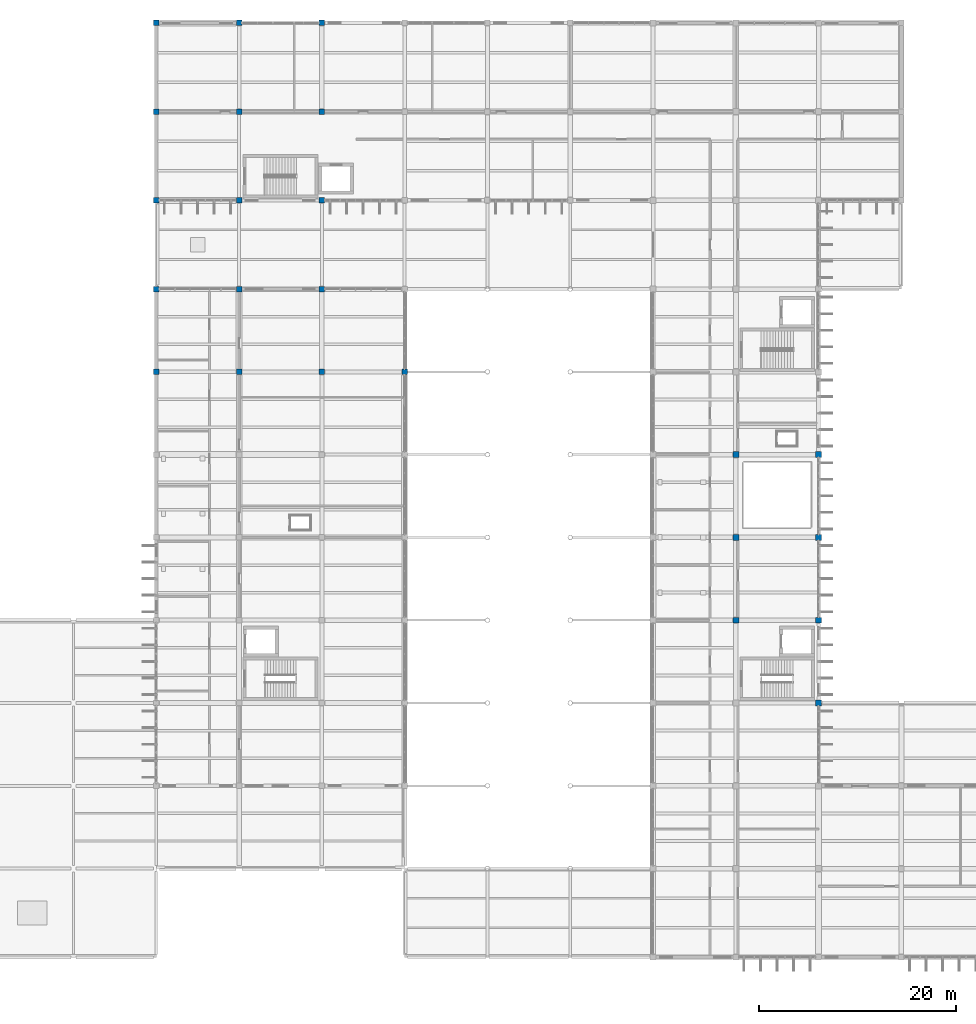
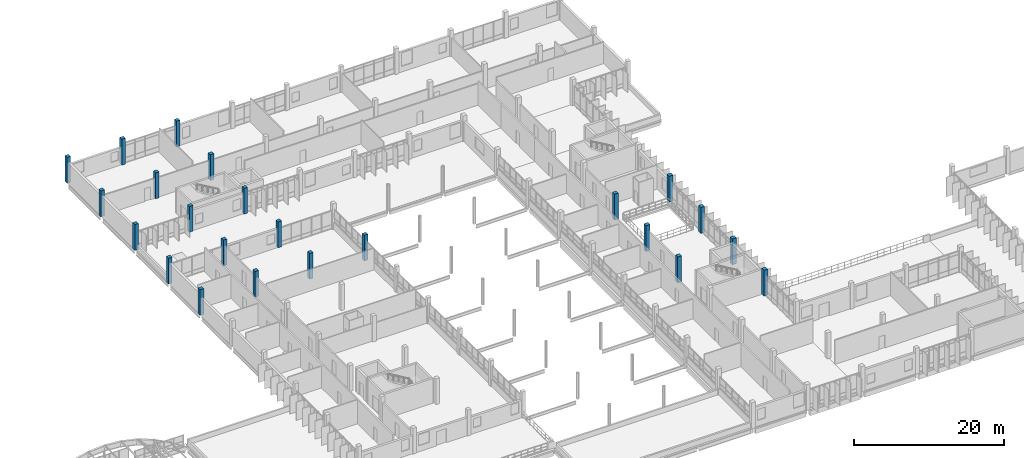
# One storey, part 5 of 130: 23 columns.
"""IFC4 building model written with IfcOpenShell, lengths in metres."""

from ifc_helpers import new_model, si_unit, direction, frame, origin, origin_2d, place, context, subcontext, project, spatial, rectangle, extrude, material, material_profile, profile_set, type_object, element, save


model = new_model("IFC4")

# Units and contexts
model_context = context("Model", 3, precision=1e-05, world=origin(), true_north=direction((0.0, 1.0)))
body_context = subcontext(model_context, "Body", "Model", "MODEL_VIEW")
ifc_project = project(units=[si_unit("LENGTHUNIT", "METRE"), si_unit("AREAUNIT", "SQUARE_METRE"), si_unit("VOLUMEUNIT", "CUBIC_METRE"), si_unit("PLANEANGLEUNIT", "RADIAN"), si_unit("MASSUNIT", "GRAM", prefix="KILO")], contexts=[model_context])

# Site, building, storey
site_placement = place(None, origin())
site = spatial("IfcSite", under=ifc_project, at=site_placement, CompositionType="ELEMENT")
building_placement = place(site_placement, origin())
building = spatial("IfcBuilding", under=site, at=building_placement, Name="Vireocrest Preparatory School", CompositionType="ELEMENT")
storey_placement = place(building_placement, frame((0.0, 0.0, 9.0)))
storey = spatial("IfcBuildingStorey", under=building, at=storey_placement, Name="L02", CompositionType="ELEMENT", Elevation=9.0)

# Columns
ifc_material = material(Name="Concrete 45 MPa", Category="concrete")
ifc_material_profile_1 = material_profile(ifc_material, rectangle(XDim=0.550048828125, YDim=0.550048828125, at=origin_2d()), Name="RC 550x550")
ifc_profile_set_1 = profile_set([ifc_material_profile_1], Name="Concrete 45 MPa")
column_type_1 = type_object("IfcColumnType", Name="RC Column 550x550", PredefinedType="COLUMN", material=ifc_profile_set_1)
for number, where, z_axis, x_axis, name in (
    (1, (42.0, 77.39990234375, 0.0), (0.0, 0.0, 1.0), (1.0, 0.0, 0.0), "Column C04 L02 6/K"),
    (2, (42.0, 85.800048828125, 0.0), (0.0, 0.0, 1.0), (1.0, 0.0, 0.0), "Column C04 L02 6/L"),
    (3, (42.0, 94.800048828125, 0.0), (0.0, 0.0, 1.0), (1.0, 0.0, 0.0), "Column C04 L02 6/M"),
    (4, (42.0, 103.800048828125, 0.0), (0.0, 0.0, 1.0), (1.0, 0.0, 0.0), "Column C04 L02 6/N"),
    (5, (42.0, 112.800048828125, 0.0), (0.0, 0.0, 1.0), (1.0, 0.0, 0.0), "Column C04 L02 6/P"),
    (6, (50.39990234375, 77.39990234375, 0.0), (0.0, 0.0, 1.0), (1.0, 0.0, 0.0), "Column C04 L02 7/K"),
    (7, (50.39990234375, 85.800048828125, 0.0), (0.0, 0.0, 1.0), (1.0, 0.0, 0.0), "Column C04 L02 7/L"),
    (8, (50.39990234375, 94.800048828125, 0.0), (0.0, 0.0, 1.0), (1.0, 0.0, 0.0), "Column C04 L02 7/M"),
    (9, (50.39990234375, 103.800048828125, 0.0), (0.0, 0.0, 1.0), (1.0, 0.0, 0.0), "Column C04 L02 7/N"),
    (10, (50.39990234375, 112.800048828125, 0.0), (0.0, 0.0, 1.0), (1.0, 0.0, 0.0), "Column C04 L02 7/P"),
    (11, (58.800048828125, 77.39990234375, 0.0), (0.0, 0.0, 1.0), (1.0, 0.0, 0.0), "Column C04 L02 8/K"),
    (12, (58.800048828125, 85.800048828125, 0.0), (0.0, 0.0, 1.0), (1.0, 0.0, 0.0), "Column C04 L02 8/L"),
    (13, (58.800048828125, 94.800048828125, 0.0), (0.0, 0.0, 1.0), (1.0, 0.0, 0.0), "Column C04 L02 8/M"),
    (14, (58.800048828125, 103.800048828125, 0.0), (0.0, 0.0, 1.0), (1.0, 0.0, 0.0), "Column C04 L02 8/N"),
    (15, (58.800048828125, 112.800048828125, 0.0), (0.0, 0.0, 1.0), (1.0, 0.0, 0.0), "Column C04 L02 8/P"),
    (16, (67.199951171875, 77.39990234375, 0.0), (0.0, 0.0, 1.0), (1.0, 0.0, 0.0), "Column C04 L02 9/K"),
):
    element("IfcColumn", number, at=place(storey_placement, frame(where, z_axis=z_axis, x_axis=x_axis)), inside=storey, type_object=column_type_1, Name=name, PredefinedType="COLUMN", context=body_context, shape_type="SweptSolid", body=[
        extrude(rectangle(XDim=0.550048828125, YDim=0.550048828125, at=origin_2d()), origin(), (0.0, 0.0, 1.0), 4.199951171875),
    ])
ifc_material_profile_2 = material_profile(ifc_material, rectangle(XDim=0.60009765625, YDim=0.60009765625, at=origin_2d()), Name="RC 600x600")
ifc_profile_set_2 = profile_set([ifc_material_profile_2], Name="Concrete 45 MPa")
column_type_2 = type_object("IfcColumnType", Name="RC Column 600x600", PredefinedType="COLUMN", material=ifc_profile_set_2)
for number, where, z_axis, x_axis, name in (
    (17, (100.800048828125, 52.199951171875, 0.0), (0.0, 0.0, 1.0), (1.0, 0.0, 0.0), "Column C05 L02 13/G"),
    (18, (100.800048828125, 60.60009765625, 0.0), (0.0, 0.0, 1.0), (1.0, 0.0, 0.0), "Column C05 L02 13/H"),
    (19, (100.800048828125, 69.0, 0.0), (0.0, 0.0, 1.0), (1.0, 0.0, 0.0), "Column C05 L02 13/J"),
    (20, (109.199951171875, 43.800048828125, 0.0), (0.0, 0.0, 1.0), (1.0, 0.0, 0.0), "Column C05 L02 14/F"),
    (21, (109.199951171875, 52.199951171875, 0.0), (0.0, 0.0, 1.0), (1.0, 0.0, 0.0), "Column C05 L02 14/G"),
    (22, (109.199951171875, 60.60009765625, 0.0), (0.0, 0.0, 1.0), (1.0, 0.0, 0.0), "Column C05 L02 14/H"),
    (23, (109.199951171875, 69.0, 0.0), (0.0, 0.0, 1.0), (1.0, 0.0, 0.0), "Column C05 L02 14/J"),
):
    element("IfcColumn", number, at=place(storey_placement, frame(where, z_axis=z_axis, x_axis=x_axis)), inside=storey, type_object=column_type_2, Name=name, PredefinedType="COLUMN", context=body_context, shape_type="SweptSolid", body=[
        extrude(rectangle(XDim=0.60009765625, YDim=0.60009765625, at=origin_2d()), origin(), (0.0, 0.0, 1.0), 4.199951171875),
    ])

save(model, "model.ifc")
